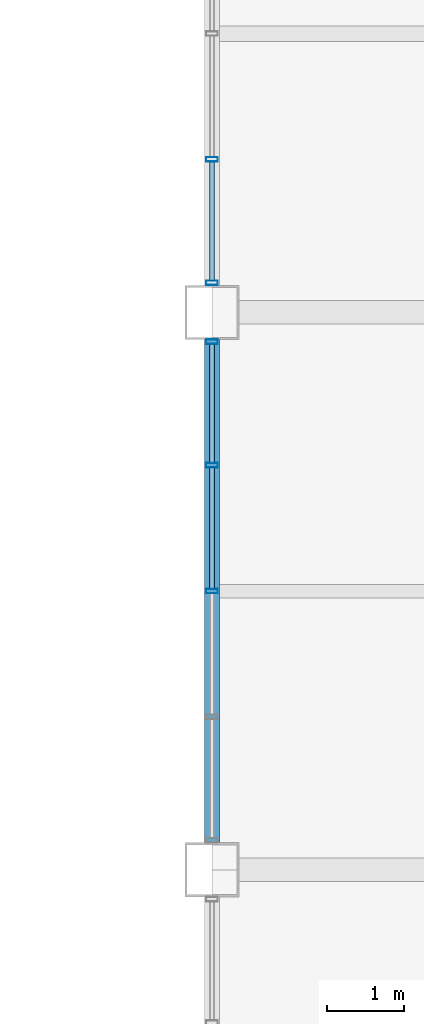
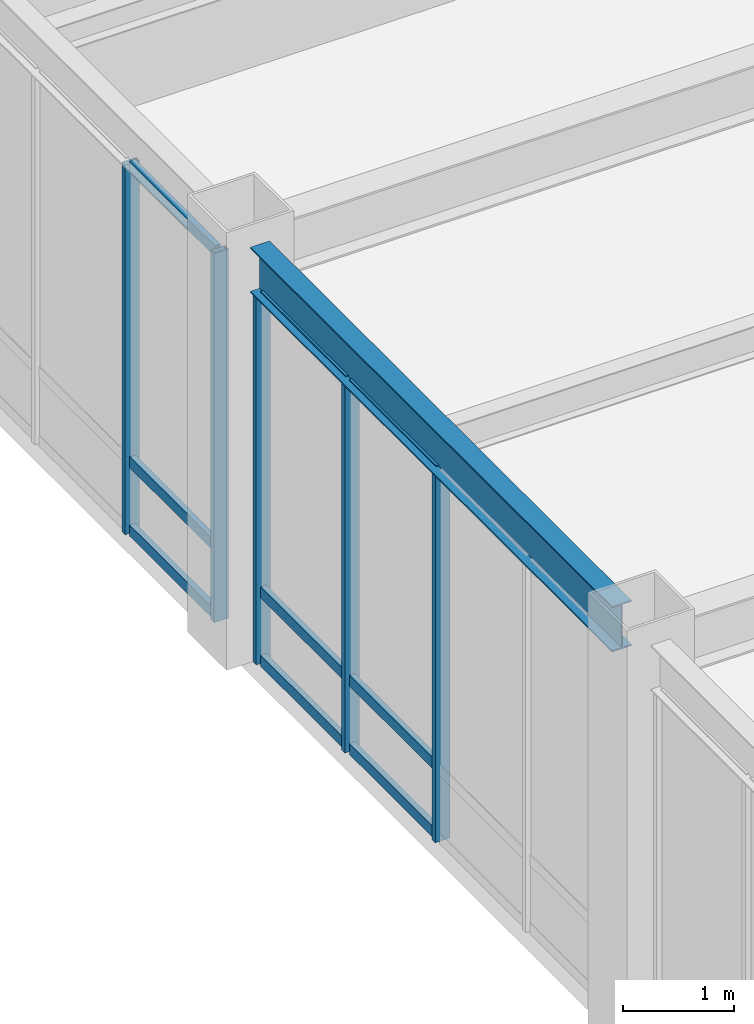
# One storey, part 46 of 112: 14 members, 1 beam, 2 elements without a shape of their own.
"""IFC4 building model written with IfcOpenShell, lengths in metres."""

from ifc_helpers import new_model, si_unit, direction, frame, origin, origin_2d, place, context, subcontext, project, spatial, hollow_rectangle, i_section, extrude, material, material_profile, profile_set, type_object, element, aggregate, save


model = new_model("IFC4")

# Units and contexts
model_context = context("Model", 3, precision=1e-05, world=origin(), true_north=direction((0.0, 1.0)))
body_context = subcontext(model_context, "Body", "Model", "MODEL_VIEW")
ifc_project = project(units=[si_unit("LENGTHUNIT", "METRE"), si_unit("AREAUNIT", "SQUARE_METRE"), si_unit("VOLUMEUNIT", "CUBIC_METRE"), si_unit("PLANEANGLEUNIT", "RADIAN"), si_unit("MASSUNIT", "GRAM", prefix="KILO")], contexts=[model_context])

# Site, building, storey
site_placement = place(None, origin())
site = spatial("IfcSite", under=ifc_project, at=site_placement, CompositionType="ELEMENT")
building_placement = place(site_placement, origin())
building = spatial("IfcBuilding", under=site, at=building_placement, Name="Kazanami Central Library", CompositionType="ELEMENT")
storey_placement = place(building_placement, origin())
storey = spatial("IfcBuildingStorey", under=building, at=storey_placement, Name="L01", CompositionType="ELEMENT", Elevation=0.0)

# Beam
ifc_material_1 = material(Name="Steel SN490B (325 MPa)", Category="steel")
ifc_material_profile_1 = material_profile(ifc_material_1, i_section(OverallWidth=0.199951171875, OverallDepth=0.5, WebThickness=0.010009765625, FlangeThickness=0.01611328125, at=origin_2d()), Name="H-500x200x10x16")
ifc_profile_set_1 = profile_set([ifc_material_profile_1], Name="Steel SN490B (325 MPa)")
beam_type = type_object("IfcBeamType", Name="BM-SP-1", PredefinedType="SPANDREL", material=ifc_profile_set_1)
beam_placement = place(storey_placement, frame((117.0, 50.748046875, 4.304931640625), z_axis=(0.0, 1.0, 0.0), x_axis=(-1.0, 0.0, 0.0)))
element("IfcBeam", 1, at=beam_placement, inside=storey, type_object=beam_type, Name="Girder SP-1 L01 14/H-J", PredefinedType="SPANDREL", context=body_context, shape_type="SweptSolid", body=[
    extrude(i_section(OverallWidth=0.199951171875, OverallDepth=0.5, WebThickness=0.010009765625, FlangeThickness=0.01611328125, at=origin_2d()), origin(), (0.0, 0.0, 1.0), 6.50390625),
])

# Curtain wall, members
ifc_material_2 = material(Name="Acid-Etched Low-E Laminated Glass", Category="glass")
curtain_wall_type = type_object("IfcCurtainWallType", Name="CW-6500x4055-M180", PredefinedType="USERDEFINED", material=ifc_material_2)
curtain_wall_1_placement = place(storey_placement, origin())
curtain_wall_1 = element("IfcCurtainWall", 2, at=curtain_wall_1_placement, inside=storey, type_object=curtain_wall_type, Name="Covered Link Bridge Curtain Wall CW-11 L01 W-14-07", ObjectType="UNITISED CURTAIN WALL", PredefinedType="USERDEFINED")
ifc_material_3 = material(Name="Anodised Aluminium A6063-T5", Category="aluminium")
ifc_material_profile_2 = material_profile(ifc_material_3, hollow_rectangle(XDim=0.06005859375, YDim=0.14990234375, WallThickness=0.00390625, at=origin_2d()), Name="ALU-MULL-60x150x4")
ifc_profile_set_2 = profile_set([ifc_material_profile_2], Name="Anodised Aluminium A6063-T5")
member_type_1 = type_object("IfcMemberType", Name="MEM-CW-M3", PredefinedType="MULLION", material=ifc_profile_set_2)
member_1_placement = place(storey_placement, frame((117.0, 54.0, 0.0), z_axis=(0.0, 0.0, 1.0), x_axis=(0.0, 1.0, 0.0)))
member_1 = element("IfcMember", 3, at=member_1_placement, type_object=member_type_1, Name="CW-11 mullion 3", PredefinedType="MULLION", context=body_context, shape_type="SweptSolid", body=[
    extrude(hollow_rectangle(XDim=0.06005859375, YDim=0.14990234375, WallThickness=0.00390625, at=origin_2d()), origin(), (0.0, 0.0, 1.0), 4.054931640625),
])
member_2_placement = place(storey_placement, frame((117.0, 55.625, 0.0), z_axis=(0.0, 0.0, 1.0), x_axis=(0.0, 1.0, 0.0)))
member_2 = element("IfcMember", 4, at=member_2_placement, type_object=member_type_1, Name="CW-11 mullion 4", PredefinedType="MULLION", context=body_context, shape_type="SweptSolid", body=[
    extrude(hollow_rectangle(XDim=0.06005859375, YDim=0.14990234375, WallThickness=0.00390625, at=origin_2d()), origin(), (0.0, 0.0, 1.0), 4.054931640625),
])
member_3_placement = place(storey_placement, frame((117.0, 57.219970703125, 0.0), z_axis=(0.0, 0.0, 1.0), x_axis=(0.0, 1.0, 0.0)))
member_3 = element("IfcMember", 5, at=member_3_placement, type_object=member_type_1, Name="CW-11 mullion 5", PredefinedType="MULLION", context=body_context, shape_type="SweptSolid", body=[
    extrude(hollow_rectangle(XDim=0.06005859375, YDim=0.14990234375, WallThickness=0.00390625, at=origin_2d()), origin(), (0.0, 0.0, 1.0), 4.054931640625),
])

curtain_wall_2_placement = place(storey_placement, origin())
curtain_wall_2 = element("IfcCurtainWall", 6, at=curtain_wall_2_placement, inside=storey, type_object=curtain_wall_type, Name="Covered Link Bridge Curtain Wall CW-11 L01 W-14-08", ObjectType="UNITISED CURTAIN WALL", PredefinedType="USERDEFINED")
member_4_placement = place(storey_placement, frame((117.0, 57.97998046875, 0.0), z_axis=(0.0, 0.0, 1.0), x_axis=(0.0, 1.0, 0.0)))
member_4 = element("IfcMember", 7, at=member_4_placement, type_object=member_type_1, Name="CW-11 mullion 1", PredefinedType="MULLION", context=body_context, shape_type="SweptSolid", body=[
    extrude(hollow_rectangle(XDim=0.06005859375, YDim=0.14990234375, WallThickness=0.00390625, at=origin_2d()), origin(), (0.0, 0.0, 1.0), 4.054931640625),
])
member_5_placement = place(storey_placement, frame((117.0, 59.574951171875, 0.0), z_axis=(0.0, 0.0, 1.0), x_axis=(0.0, 1.0, 0.0)))
member_5 = element("IfcMember", 8, at=member_5_placement, type_object=member_type_1, Name="CW-11 mullion 2", PredefinedType="MULLION", context=body_context, shape_type="SweptSolid", body=[
    extrude(hollow_rectangle(XDim=0.06005859375, YDim=0.14990234375, WallThickness=0.00390625, at=origin_2d()), origin(), (0.0, 0.0, 1.0), 4.054931640625),
])

# Member
ifc_material_profile_3 = material_profile(ifc_material_3, hollow_rectangle(XDim=0.06005859375, YDim=0.1201171875, WallThickness=0.00341796875, at=origin_2d()), Name="ALU-TRAN-60x120x3.5")
ifc_profile_set_3 = profile_set([ifc_material_profile_3], Name="Anodised Aluminium A6063-T5")
member_type_2 = type_object("IfcMemberType", Name="MEM-CW-T3", PredefinedType="USERDEFINED", material=ifc_profile_set_3)
member_6_placement = place(storey_placement, frame((117.0, 54.030029296875, 0.030029296875), z_axis=(0.0, 1.0, 0.0), x_axis=(-1.0, 0.0, 0.0)))
member_6 = element("IfcMember", 9, at=member_6_placement, type_object=member_type_2, Name="CW-11 transom 3.1", ObjectType="TRANSOM", PredefinedType="USERDEFINED", context=body_context, shape_type="SweptSolid", body=[
    extrude(hollow_rectangle(XDim=0.06005859375, YDim=0.1201171875, WallThickness=0.00341796875, at=origin_2d()), origin(), (0.0, 0.0, 1.0), 1.56494140625),
])

member_7_placement = place(storey_placement, frame((117.0, 54.030029296875, 0.780029296875), z_axis=(0.0, 1.0, 0.0), x_axis=(-1.0, 0.0, 0.0)))
member_7 = element("IfcMember", 10, at=member_7_placement, type_object=member_type_2, Name="CW-11 transom 3.2", ObjectType="TRANSOM", PredefinedType="USERDEFINED", context=body_context, shape_type="SweptSolid", body=[
    extrude(hollow_rectangle(XDim=0.06005859375, YDim=0.1201171875, WallThickness=0.00341796875, at=origin_2d()), origin(), (0.0, 0.0, 1.0), 1.56494140625),
])

member_8_placement = place(storey_placement, frame((117.0, 54.030029296875, 4.02490234375), z_axis=(0.0, 1.0, 0.0), x_axis=(-1.0, 0.0, 0.0)))
member_8 = element("IfcMember", 11, at=member_8_placement, type_object=member_type_2, Name="CW-11 transom 3.3", ObjectType="TRANSOM", PredefinedType="USERDEFINED", context=body_context, shape_type="SweptSolid", body=[
    extrude(hollow_rectangle(XDim=0.06005859375, YDim=0.1201171875, WallThickness=0.00341796875, at=origin_2d()), origin(), (0.0, 0.0, 1.0), 1.56494140625),
])

member_9_placement = place(storey_placement, frame((117.0, 55.655029296875, 0.030029296875), z_axis=(0.0, 1.0, 0.0), x_axis=(-1.0, 0.0, 0.0)))
member_9 = element("IfcMember", 12, at=member_9_placement, type_object=member_type_2, Name="CW-11 transom 4.1", ObjectType="TRANSOM", PredefinedType="USERDEFINED", context=body_context, shape_type="SweptSolid", body=[
    extrude(hollow_rectangle(XDim=0.06005859375, YDim=0.1201171875, WallThickness=0.00341796875, at=origin_2d()), origin(), (0.0, 0.0, 1.0), 1.534912109375),
])

member_10_placement = place(storey_placement, frame((117.0, 55.655029296875, 0.780029296875), z_axis=(0.0, 1.0, 0.0), x_axis=(-1.0, 0.0, 0.0)))
member_10 = element("IfcMember", 13, at=member_10_placement, type_object=member_type_2, Name="CW-11 transom 4.2", ObjectType="TRANSOM", PredefinedType="USERDEFINED", context=body_context, shape_type="SweptSolid", body=[
    extrude(hollow_rectangle(XDim=0.06005859375, YDim=0.1201171875, WallThickness=0.00341796875, at=origin_2d()), origin(), (0.0, 0.0, 1.0), 1.534912109375),
])

member_11_placement = place(storey_placement, frame((117.0, 55.655029296875, 4.02490234375), z_axis=(0.0, 1.0, 0.0), x_axis=(-1.0, 0.0, 0.0)))
member_11 = element("IfcMember", 14, at=member_11_placement, type_object=member_type_2, Name="CW-11 transom 4.3", ObjectType="TRANSOM", PredefinedType="USERDEFINED", context=body_context, shape_type="SweptSolid", body=[
    extrude(hollow_rectangle(XDim=0.06005859375, YDim=0.1201171875, WallThickness=0.00341796875, at=origin_2d()), origin(), (0.0, 0.0, 1.0), 1.534912109375),
])

aggregate(curtain_wall_1, [member_1, member_2, member_3, member_6, member_7, member_8, member_9, member_10, member_11])

member_12_placement = place(storey_placement, frame((117.0, 58.010009765625, 0.030029296875), z_axis=(0.0, 1.0, 0.0), x_axis=(-1.0, 0.0, 0.0)))
member_12 = element("IfcMember", 15, at=member_12_placement, type_object=member_type_2, Name="CW-11 transom 1.1", ObjectType="TRANSOM", PredefinedType="USERDEFINED", context=body_context, shape_type="SweptSolid", body=[
    extrude(hollow_rectangle(XDim=0.06005859375, YDim=0.1201171875, WallThickness=0.00341796875, at=origin_2d()), origin(), (0.0, 0.0, 1.0), 1.534912109375),
])

member_13_placement = place(storey_placement, frame((117.0, 58.010009765625, 0.780029296875), z_axis=(0.0, 1.0, 0.0), x_axis=(-1.0, 0.0, 0.0)))
member_13 = element("IfcMember", 16, at=member_13_placement, type_object=member_type_2, Name="CW-11 transom 1.2", ObjectType="TRANSOM", PredefinedType="USERDEFINED", context=body_context, shape_type="SweptSolid", body=[
    extrude(hollow_rectangle(XDim=0.06005859375, YDim=0.1201171875, WallThickness=0.00341796875, at=origin_2d()), origin(), (0.0, 0.0, 1.0), 1.534912109375),
])

member_14_placement = place(storey_placement, frame((117.0, 58.010009765625, 4.02490234375), z_axis=(0.0, 1.0, 0.0), x_axis=(-1.0, 0.0, 0.0)))
member_14 = element("IfcMember", 17, at=member_14_placement, type_object=member_type_2, Name="CW-11 transom 1.3", ObjectType="TRANSOM", PredefinedType="USERDEFINED", context=body_context, shape_type="SweptSolid", body=[
    extrude(hollow_rectangle(XDim=0.06005859375, YDim=0.1201171875, WallThickness=0.00341796875, at=origin_2d()), origin(), (0.0, 0.0, 1.0), 1.534912109375),
])

aggregate(curtain_wall_2, [member_4, member_5, member_12, member_13, member_14])

save(model, "model.ifc")
